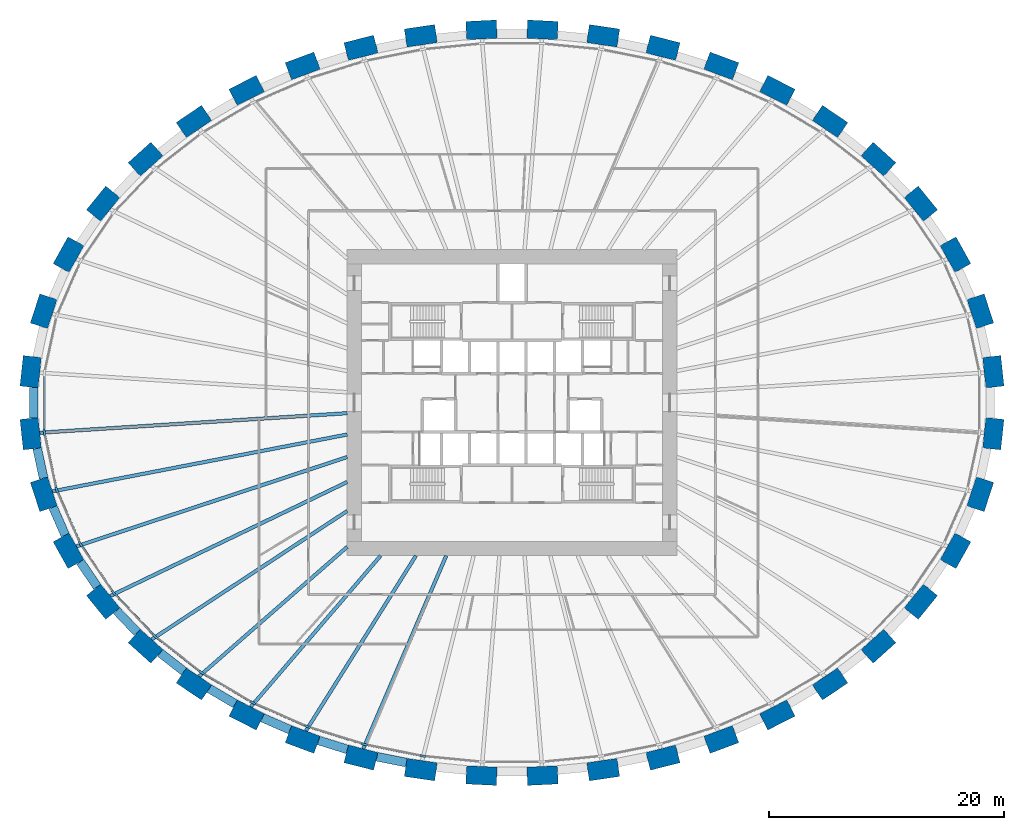
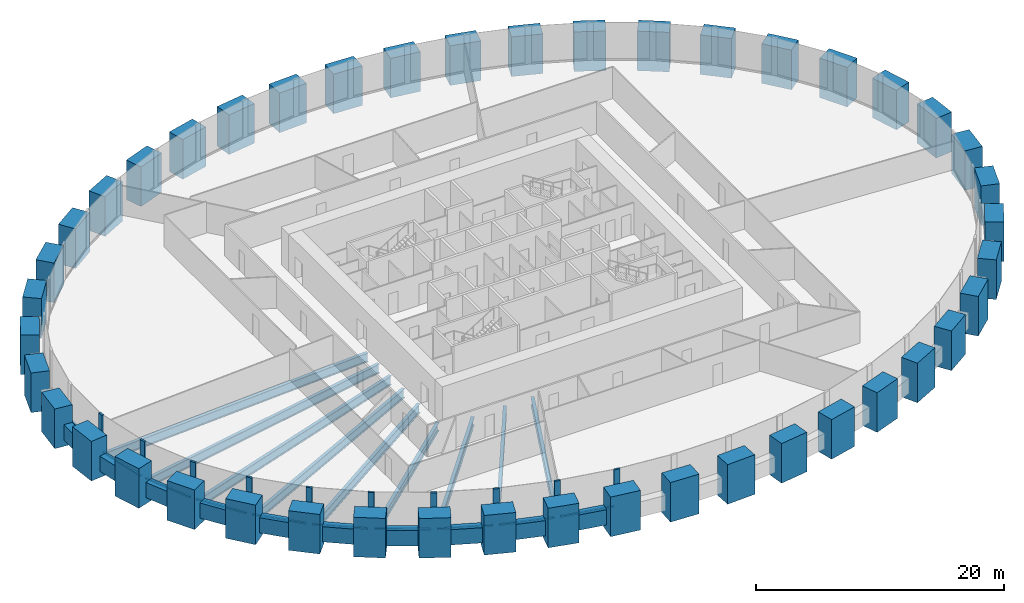
# One storey, part 1 of 10: 44 columns, 20 members, 19 beams, 1 element without a shape of its own.
"""IFC4 building model written with IfcOpenShell, lengths in metres."""

import ifcopenshell
import ifcopenshell.guid

model = None  # the IFC model being written
_history = None  # IfcOwnerHistory: only IFC2X3 demands one
_inside = {}  # id of a spatial element -> (the spatial element, [elements in it])
_under = {}  # id of a project, library or spatial element -> (it, [spatial elements below it])
_declared = {}  # id of a project -> (the project, [libraries it declares])
_typed = {}  # id of a type object -> (the type object, [elements of that type])
_made_of = {}  # id of a material, layer set ... -> (it, [elements and type objects made of it])


def new_model(schema):
    """Start an empty IFC model of exactly this schema.

    Asked for "IFC4X3", IfcOpenShell would pick the latest addendum, in which some entities
    have other attributes; the version numbers below select the first issue.
    IFC2X3 requires an IfcOwnerHistory on every rooted entity: one is made here for all.
    """
    global model, _history
    if schema == "IFC4X3":
        model = ifcopenshell.file(schema_version=(4, 3, 0, 0))
    else:
        model = ifcopenshell.file(schema=schema)
    _inside.clear()
    _under.clear()
    _declared.clear()
    _typed.clear()
    _made_of.clear()
    _history = None
    if model.schema == "IFC2X3":
        org = make("IfcOrganization", Name="unknown")
        user = make(
            "IfcPersonAndOrganization",
            ThePerson=make("IfcPerson", FamilyName="unknown"),
            TheOrganization=org,
        )
        app = make(
            "IfcApplication",
            ApplicationDeveloper=org,
            Version="unknown",
            ApplicationFullName="unknown",
            ApplicationIdentifier="unknown",
        )
        _history = make(
            "IfcOwnerHistory",
            OwningUser=user,
            OwningApplication=app,
            ChangeAction="ADDED",
            CreationDate=0,
        )
    return model


def make(cls, **values):
    """One entity of the class cls with the attributes given. An attribute that is None is left unset."""
    return model.create_entity(
        cls, **{name: value for name, value in values.items() if value is not None}
    )


def rooted(cls, **values):
    """An entity with a GlobalId (a new one), such as an element, a storey or a relation."""
    return make(cls, GlobalId=ifcopenshell.guid.new(), OwnerHistory=_history, **values)


def si_unit(unit_type, name, prefix=None):
    """IfcSIUnit, for example si_unit("LENGTHUNIT", "METRE", prefix="MILLI")."""
    return make("IfcSIUnit", UnitType=unit_type, Prefix=prefix, Name=name)


def assignment(units):
    """IfcUnitAssignment: the units of a project."""
    return None if units is None else make("IfcUnitAssignment", Units=units)


def point(xyz):
    """IfcCartesianPoint."""
    return None if xyz is None else make("IfcCartesianPoint", Coordinates=xyz)


def direction(xyz):
    """IfcDirection."""
    return None if xyz is None else make("IfcDirection", DirectionRatios=xyz)


def frame(location, z_axis=None, x_axis=None):
    """IfcAxis2Placement3D, a coordinate frame: its origin and axes. An axis left out is left unset."""
    return make(
        "IfcAxis2Placement3D",
        Location=point(location),
        Axis=direction(z_axis),
        RefDirection=direction(x_axis),
    )


def frame_2d(location, x_axis=None):
    """IfcAxis2Placement2D, a coordinate frame in the plane: its origin and x axis."""
    return make(
        "IfcAxis2Placement2D", Location=point(location), RefDirection=direction(x_axis)
    )


def origin():
    """The frame at (0, 0, 0) with its axes left unset."""
    return frame((0.0, 0.0, 0.0))


def origin_2d():
    """The frame at (0, 0) in the plane with its x axis left unset."""
    return frame_2d((0.0, 0.0))


def place(relative_to, where):
    """IfcLocalPlacement: puts the frame where relative to a parent placement (None: the world)."""
    return make(
        "IfcLocalPlacement", PlacementRelTo=relative_to, RelativePlacement=where
    )


def context(
    kind, dimensions, precision=None, world=None, true_north=None, identifier=None
):
    """IfcGeometricRepresentationContext, for example the 3D "Model" context."""
    return make(
        "IfcGeometricRepresentationContext",
        ContextIdentifier=identifier,
        ContextType=kind,
        CoordinateSpaceDimension=dimensions,
        Precision=precision,
        WorldCoordinateSystem=world,
        TrueNorth=true_north,
    )


def subcontext(parent, identifier, kind, view, scale=None):
    """IfcGeometricRepresentationSubContext, for example "Body" below "Model"."""
    return make(
        "IfcGeometricRepresentationSubContext",
        ContextIdentifier=identifier,
        ContextType=kind,
        ParentContext=parent,
        TargetScale=scale,
        TargetView=view,
    )


def project(units=None, contexts=None):
    """IfcProject with its units and contexts."""
    return rooted(
        "IfcProject",
        Name="project",
        RepresentationContexts=contexts,
        UnitsInContext=assignment(units),
    )


def spatial(cls, under=None, at=None, **own):
    """A site, building, storey or space (cls), placed at a placement, below another one or the project."""
    s = rooted(cls, ObjectPlacement=at, **own)
    if under is not None:
        _under.setdefault(under.id(), (under, []))[1].append(s)
    return s


def profile(cls, at=None, kind="AREA", **sizes):
    """A parametric profile (cls). Its sizes go by their IFC names, for example OverallWidth=200.0."""
    return make(cls, ProfileType=kind, Position=at, **sizes)


def rectangle(**sizes):
    """IfcRectangleProfileDef."""
    return profile("IfcRectangleProfileDef", **sizes)


def i_section(**sizes):
    """IfcIShapeProfileDef."""
    return profile("IfcIShapeProfileDef", **sizes)


def extrude(swept, where, along, depth):
    """IfcExtrudedAreaSolid: the profile swept, set in the frame where, extruded along a direction by depth."""
    return make(
        "IfcExtrudedAreaSolid",
        SweptArea=swept,
        Position=where,
        ExtrudedDirection=direction(along),
        Depth=depth,
    )


def shape(context_of_items, identifier, shape_type, items):
    """IfcShapeRepresentation: the items that make up one representation, for example the "Body"."""
    return make(
        "IfcShapeRepresentation",
        ContextOfItems=context_of_items,
        RepresentationIdentifier=identifier,
        RepresentationType=shape_type,
        Items=items,
    )


def source(mapping_origin, context_of_items, identifier, shape_type, items):
    """IfcRepresentationMap: a shape defined once, which mapped items show again and again."""
    return make(
        "IfcRepresentationMap",
        MappingOrigin=mapping_origin,
        MappedRepresentation=shape(context_of_items, identifier, shape_type, items),
    )


def transform(
    local_origin,
    x_axis=None,
    y_axis=None,
    z_axis=None,
    scale=None,
    scale2=None,
    scale3=None,
    uniform=True,
):
    """IfcCartesianTransformationOperator3D, or its non-uniform kind. x_axis, y_axis, z_axis: its Axis1, 2, 3."""
    if uniform:
        return make(
            "IfcCartesianTransformationOperator3D",
            Axis1=direction(x_axis),
            Axis2=direction(y_axis),
            LocalOrigin=point(local_origin),
            Scale=scale,
            Axis3=direction(z_axis),
        )
    return make(
        "IfcCartesianTransformationOperator3DnonUniform",
        Axis1=direction(x_axis),
        Axis2=direction(y_axis),
        LocalOrigin=point(local_origin),
        Scale=scale,
        Axis3=direction(z_axis),
        Scale2=scale2,
        Scale3=scale3,
    )


def mapped(mapping_source, mapping_target):
    """IfcMappedItem: shows the shape of a source again, moved by a transform."""
    return make(
        "IfcMappedItem", MappingSource=mapping_source, MappingTarget=mapping_target
    )


def material(Name=None, Category=None):
    """IfcMaterial."""
    return make("IfcMaterial", Name=Name, Category=Category)


def material_profile(
    of_material, cross_section, Name=None, Category=None, Priority=None
):
    """IfcMaterialProfile: a cross section and its material."""
    return make(
        "IfcMaterialProfile",
        Name=Name,
        Material=of_material,
        Profile=cross_section,
        Priority=Priority,
        Category=Category,
    )


def profile_set(profiles, Name=None, composite=None):
    """IfcMaterialProfileSet."""
    return make(
        "IfcMaterialProfileSet",
        Name=Name,
        MaterialProfiles=profiles,
        CompositeProfile=composite,
    )


def made_of(thing, what):
    """Note that an element or type object is made of a material, layer set ...; save() writes the relation."""
    if what is not None:
        _made_of.setdefault(what.id(), (what, []))[1].append(thing)
    return thing


def type_object(cls, material=None, **own):
    """A type object (cls), such as IfcWallType, which elements share."""
    return made_of(rooted(cls, **own), material)


def element(
    cls,
    number,
    at=None,
    inside=None,
    cuts=None,
    type_object=None,
    material=None,
    context=None,
    identifier="Body",
    shape_type=None,
    held_by="IfcProductDefinitionShape",
    body=None,
    shapes=None,
    **own,
):
    """One element of the class cls, such as IfcWall. Its Tag is "e" and its number.

    at: its placement. inside: the storey or other place that contains it. cuts: it is an
    opening in that element (IfcRelVoidsElement). A single representation is given by context,
    identifier, shape_type and body (its items); several are given by shapes. held_by: the class
    of the entity that holds the representations. save() writes the other relations.
    """
    e = rooted(cls, Tag="e%d" % number, ObjectPlacement=at, **own)
    if body is not None:
        shapes = [shape(context, identifier, shape_type, body)]
    if shapes is not None:
        e.Representation = make(held_by, Representations=shapes)
    if inside is not None:
        _inside.setdefault(inside.id(), (inside, []))[1].append(e)
    if cuts is not None:
        rooted(
            "IfcRelVoidsElement", RelatingBuildingElement=cuts, RelatedOpeningElement=e
        )
    if type_object is not None:
        _typed.setdefault(type_object.id(), (type_object, []))[1].append(e)
    return made_of(e, material)


def aggregate(whole, parts):
    """IfcRelAggregates: a whole, such as a stair, and the parts it consists of."""
    return rooted("IfcRelAggregates", RelatingObject=whole, RelatedObjects=parts)


def save(model, path):
    """Write the relations noted so far, then the file.

    IfcRelAggregates (storeys below a building ...), IfcRelContainedInSpatialStructure (elements
    in a storey), IfcRelDefinesByType, IfcRelAssociatesMaterial and IfcRelDeclares: one each for
    every whole, place, type object, material and project.
    """
    for whole, parts in _under.values():
        aggregate(whole, parts)
    for where, things in _inside.values():
        rooted(
            "IfcRelContainedInSpatialStructure",
            RelatedElements=things,
            RelatingStructure=where,
        )
    for kind, things in _typed.values():
        rooted("IfcRelDefinesByType", RelatedObjects=things, RelatingType=kind)
    for what, things in _made_of.values():
        rooted("IfcRelAssociatesMaterial", RelatedObjects=things, RelatingMaterial=what)
    for by, libraries in _declared.values():
        rooted("IfcRelDeclares", RelatingContext=by, RelatedDefinitions=libraries)
    model.write(path)


model = new_model("IFC4")

# Units and contexts
model_context = context("Model", 3, precision=1e-05, world=origin(), true_north=direction((0.0, 1.0)))
body_context = subcontext(model_context, "Body", "Model", "MODEL_VIEW")
ifc_project = project(units=[si_unit("LENGTHUNIT", "METRE"), si_unit("AREAUNIT", "SQUARE_METRE"), si_unit("VOLUMEUNIT", "CUBIC_METRE"), si_unit("PLANEANGLEUNIT", "RADIAN"), si_unit("MASSUNIT", "GRAM", prefix="KILO")], contexts=[model_context])

# Site, building, storey
site_placement = place(None, origin())
site = spatial("IfcSite", under=ifc_project, at=site_placement, CompositionType="ELEMENT")
building_placement = place(site_placement, origin())
building = spatial("IfcBuilding", under=site, at=building_placement, Name="Embergate Tower", CompositionType="ELEMENT")
storey_placement = place(building_placement, frame((0.0, 0.0, 81.5)))
storey = spatial("IfcBuildingStorey", under=building, at=storey_placement, Name="L16", CompositionType="ELEMENT", Elevation=81.5)

# Columns
ifc_material_1 = material(Name="Concrete C70", Category="concrete")
ifc_material_profile_1 = material_profile(ifc_material_1, rectangle(XDim=1.550048828125, YDim=2.60009765625, at=origin_2d()), Name="RC 1550x2600")
ifc_profile_set_1 = profile_set([ifc_material_profile_1], Name="Concrete C70")
column_type = type_object("IfcColumnType", Name="Ring column RC 1550x2600 C70", PredefinedType="COLUMN", material=ifc_profile_set_1)
shared_shape_1 = source(origin(), body_context, "Body", "SweptSolid", [
    extrude(rectangle(XDim=1.550048828125, YDim=2.60009765625, at=origin_2d()), origin(), (0.0, 0.0, 1.0), 3.89990234375),
])
for number, where, z_axis, x_axis, name in (
    (1, (40.89404296875, 2.632080078125, -1.39990234375), (0.0, 0.0, 1.0), (0.99428589498, 0.106749983816, 0.0), "COL-L16-00"),
    (2, (39.7880859375, 7.77294921875, -1.39990234375), (0.0, 0.0, 1.0), (0.950754033697, 0.309946394413, 0.0), "COL-L16-01"),
    (3, (37.679931640625, 12.580078125, -1.39990234375), (0.0, 0.0, 1.0), (0.873491969053, 0.486838556403, 0.0), "COL-L16-02"),
    (4, (34.736083984375, 16.909912109375, -1.39990234375), (0.0, 0.0, 1.0), (0.775914301615, 0.630838328377, 0.0), "COL-L16-03"),
    (5, (31.132080078125, 20.68896484375, -1.39990234375), (0.0, 0.0, 1.0), (0.669208424634, 0.74307475021, 0.0), "COL-L16-04"),
    (6, (27.02392578125, 23.89501953125, -1.39990234375), (0.0, 0.0, 1.0), (0.560393279442, 0.828226643109, 0.0), "COL-L16-05"),
    (7, (22.541015625, 26.531005859375, -1.39990234375), (0.0, 0.0, 1.0), (0.452994952881, 0.891513080478, 0.0), "COL-L16-06"),
    (8, (17.782958984375, 28.612060546875, -1.39990234375), (0.0, 0.0, 1.0), (0.348343015724, 0.93736713373, 0.0), "COL-L16-07"),
    (9, (12.830078125, 30.154052734375, -1.39990234375), (0.0, 0.0, 1.0), (0.246491603437, 0.969144926951, 0.0), "COL-L16-08"),
    (10, (7.7470703125, 31.174072265625, -1.39990234375), (0.0, 0.0, 1.0), (0.146929011949, 0.989147039346, 0.0), "COL-L16-09"),
    (11, (2.591064453125, 31.680908203125, -1.39990234375), (0.0, 0.0, 1.0), (0.048814904854, 0.998807841912, 0.0), "COL-L16-10"),
    (12, (-2.591064453125, 31.680908203125, -1.39990234375), (0.0, 0.0, 1.0), (-0.048814904854, 0.998807841912, 0.0), "COL-L16-11"),
    (13, (-7.7470703125, 31.174072265625, -1.39990234375), (0.0, 0.0, 1.0), (-0.146929011949, 0.989147039346, 0.0), "COL-L16-12"),
    (14, (-12.830078125, 30.154052734375, -1.39990234375), (0.0, 0.0, 1.0), (-0.246491603437, 0.969144926951, 0.0), "COL-L16-13"),
    (15, (-17.782958984375, 28.612060546875, -1.39990234375), (0.0, 0.0, 1.0), (-0.348343015724, 0.93736713373, 0.0), "COL-L16-14"),
    (16, (-22.541015625, 26.531005859375, -1.39990234375), (0.0, 0.0, 1.0), (-0.452994952881, 0.891513080478, 0.0), "COL-L16-15"),
    (17, (-27.02392578125, 23.89501953125, -1.39990234375), (0.0, 0.0, 1.0), (-0.560393279442, 0.828226643109, 0.0), "COL-L16-16"),
    (18, (-31.132080078125, 20.68896484375, -1.39990234375), (0.0, 0.0, 1.0), (-0.669208424634, 0.74307475021, 0.0), "COL-L16-17"),
    (19, (-34.736083984375, 16.909912109375, -1.39990234375), (0.0, 0.0, 1.0), (-0.775914301615, 0.630838328377, 0.0), "COL-L16-18"),
    (20, (-37.679931640625, 12.580078125, -1.39990234375), (0.0, 0.0, 1.0), (-0.873491969053, 0.486838556403, 0.0), "COL-L16-19"),
    (21, (-39.7880859375, 7.77294921875, -1.39990234375), (0.0, 0.0, 1.0), (-0.950754033697, 0.309946394413, 0.0), "COL-L16-20"),
    (22, (-40.89404296875, 2.632080078125, -1.39990234375), (0.0, 0.0, 1.0), (-0.99428589498, 0.106749983816, 0.0), "COL-L16-21"),
    (23, (-40.89404296875, -2.632080078125, -1.39990234375), (0.0, 0.0, 1.0), (-0.99428589498, -0.106749983816, 0.0), "COL-L16-22"),
    (24, (-39.7880859375, -7.77294921875, -1.39990234375), (0.0, 0.0, 1.0), (-0.950754033697, -0.309946394413, 0.0), "COL-L16-23"),
    (25, (-37.679931640625, -12.580078125, -1.39990234375), (0.0, 0.0, 1.0), (-0.873491969053, -0.486838556403, 0.0), "COL-L16-24"),
    (26, (-34.736083984375, -16.909912109375, -1.39990234375), (0.0, 0.0, 1.0), (-0.775914301615, -0.630838328377, 0.0), "COL-L16-25"),
    (27, (-31.132080078125, -20.68896484375, -1.39990234375), (0.0, 0.0, 1.0), (-0.669208424634, -0.74307475021, 0.0), "COL-L16-26"),
    (28, (-27.02392578125, -23.89501953125, -1.39990234375), (0.0, 0.0, 1.0), (-0.560393279442, -0.828226643109, 0.0), "COL-L16-27"),
    (29, (-22.541015625, -26.531005859375, -1.39990234375), (0.0, 0.0, 1.0), (-0.452994952881, -0.891513080478, 0.0), "COL-L16-28"),
    (30, (-17.782958984375, -28.612060546875, -1.39990234375), (0.0, 0.0, 1.0), (-0.348343015724, -0.93736713373, 0.0), "COL-L16-29"),
    (31, (-12.830078125, -30.154052734375, -1.39990234375), (0.0, 0.0, 1.0), (-0.246491603437, -0.969144926951, 0.0), "COL-L16-30"),
    (32, (-7.7470703125, -31.174072265625, -1.39990234375), (0.0, 0.0, 1.0), (-0.146929011949, -0.989147039346, 0.0), "COL-L16-31"),
    (33, (-2.591064453125, -31.680908203125, -1.39990234375), (0.0, 0.0, 1.0), (-0.048814904854, -0.998807841912, 0.0), "COL-L16-32"),
    (34, (2.591064453125, -31.680908203125, -1.39990234375), (0.0, 0.0, 1.0), (0.048814904854, -0.998807841912, 0.0), "COL-L16-33"),
    (35, (7.7470703125, -31.174072265625, -1.39990234375), (0.0, 0.0, 1.0), (0.146929011949, -0.989147039346, 0.0), "COL-L16-34"),
    (36, (12.830078125, -30.154052734375, -1.39990234375), (0.0, 0.0, 1.0), (0.246491603437, -0.969144926951, 0.0), "COL-L16-35"),
    (37, (17.782958984375, -28.612060546875, -1.39990234375), (0.0, 0.0, 1.0), (0.348343015724, -0.93736713373, 0.0), "COL-L16-36"),
    (38, (22.541015625, -26.531005859375, -1.39990234375), (0.0, 0.0, 1.0), (0.452994952881, -0.891513080478, 0.0), "COL-L16-37"),
    (39, (27.02392578125, -23.89501953125, -1.39990234375), (0.0, 0.0, 1.0), (0.560393279442, -0.828226643109, 0.0), "COL-L16-38"),
    (40, (31.132080078125, -20.68896484375, -1.39990234375), (0.0, 0.0, 1.0), (0.669208424634, -0.74307475021, 0.0), "COL-L16-39"),
    (41, (34.736083984375, -16.909912109375, -1.39990234375), (0.0, 0.0, 1.0), (0.775914301615, -0.630838328377, 0.0), "COL-L16-40"),
    (42, (37.679931640625, -12.580078125, -1.39990234375), (0.0, 0.0, 1.0), (0.873491969053, -0.486838556403, 0.0), "COL-L16-41"),
    (43, (39.7880859375, -7.77294921875, -1.39990234375), (0.0, 0.0, 1.0), (0.950754033697, -0.309946394413, 0.0), "COL-L16-42"),
    (44, (40.89404296875, -2.632080078125, -1.39990234375), (0.0, 0.0, 1.0), (0.99428589498, -0.106749983816, 0.0), "COL-L16-43"),
):
    element("IfcColumn", number, at=place(storey_placement, frame(where, z_axis=z_axis, x_axis=x_axis)), inside=storey, type_object=column_type, Name=name, PredefinedType="COLUMN", context=body_context, shape_type="MappedRepresentation", body=[
        mapped(shared_shape_1, transform((0.0, 0.0, 0.0))),
    ])

# Beams
ifc_material_profile_2 = material_profile(ifc_material_1, rectangle(XDim=0.75, YDim=1.5, at=origin_2d()), Name="RC 750x1500")
ifc_profile_set_2 = profile_set([ifc_material_profile_2], Name="Concrete C70")
beam_type_1 = type_object("IfcBeamType", Name="Spandrel beam RC 750x1500 C70", PredefinedType="BEAM", material=ifc_profile_set_2)
shared_shape_2 = source(origin(), body_context, "Body", "SweptSolid", [
    extrude(rectangle(XDim=0.75, YDim=1.5, at=origin_2d()), origin(), (0.0, 0.0, 1.0), 2.5869140625),
])
beam_1_placement = place(storey_placement, frame((-40.343017578125, -3.8798828125, 0.0), z_axis=(0.210270227171, -0.977643304874, 0.0), x_axis=(0.977643304874, 0.210270227171, 0.0)))
element("IfcBeam", 45, at=beam_1_placement, inside=storey, type_object=beam_type_1, Name="SPN-L16-22", PredefinedType="BEAM", context=body_context, shape_type="MappedRepresentation", body=[
    mapped(shared_shape_2, transform((0.0, 0.0, 0.0))),
])
shared_shape_3 = source(origin(), body_context, "Body", "SweptSolid", [
    extrude(rectangle(XDim=0.75, YDim=1.5, at=origin_2d()), origin(), (0.0, 0.0, 1.0), 2.583251953125),
])
beam_2_placement = place(storey_placement, frame((-38.9990234375, -8.883056640625, 0.0), z_axis=(0.401468201792, -0.915872962233, 0.0), x_axis=(0.915872962233, 0.401468201792, 0.0)))
element("IfcBeam", 46, at=beam_2_placement, inside=storey, type_object=beam_type_1, Name="SPN-L16-23", PredefinedType="BEAM", context=body_context, shape_type="MappedRepresentation", body=[
    mapped(shared_shape_3, transform((0.0, 0.0, 0.0))),
])
shared_shape_4 = source(origin(), body_context, "Body", "SweptSolid", [
    extrude(rectangle(XDim=0.75, YDim=1.5, at=origin_2d()), origin(), (0.0, 0.0, 1.0), 2.574951171875),
])
beam_3_placement = place(storey_placement, frame((-36.68603515625, -13.513916015625, 0.0), z_axis=(0.562356702599, -0.826894756932, 0.0), x_axis=(0.826894756932, 0.562356702599, 0.0)))
element("IfcBeam", 47, at=beam_3_placement, inside=storey, type_object=beam_type_1, Name="SPN-L16-24", PredefinedType="BEAM", context=body_context, shape_type="MappedRepresentation", body=[
    mapped(shared_shape_4, transform((0.0, 0.0, 0.0))),
])
shared_shape_5 = source(origin(), body_context, "Body", "SweptSolid", [
    extrude(rectangle(XDim=0.75, YDim=1.5, at=origin_2d()), origin(), (0.0, 0.0, 1.0), 2.568115234375),
])
beam_4_placement = place(storey_placement, frame((-33.60400390625, -17.6650390625, 0.0), z_axis=(0.68998268655, -0.723825871506, 0.0), x_axis=(0.723825871506, 0.68998268655, 0.0)))
element("IfcBeam", 48, at=beam_4_placement, inside=storey, type_object=beam_type_1, Name="SPN-L16-25", PredefinedType="BEAM", context=body_context, shape_type="MappedRepresentation", body=[
    mapped(shared_shape_5, transform((0.0, 0.0, 0.0))),
])
shared_shape_6 = source(origin(), body_context, "Body", "SweptSolid", [
    extrude(rectangle(XDim=0.75, YDim=1.5, at=origin_2d()), origin(), (0.0, 0.0, 1.0), 2.560791015625),
])
beam_5_placement = place(storey_placement, frame((-29.89111328125, -21.25390625, 0.0), z_axis=(0.788437573921, -0.615114779557, 0.0), x_axis=(0.615114779557, 0.788437573921, 0.0)))
element("IfcBeam", 49, at=beam_5_placement, inside=storey, type_object=beam_type_1, Name="SPN-L16-26", PredefinedType="BEAM", context=body_context, shape_type="MappedRepresentation", body=[
    mapped(shared_shape_6, transform((0.0, 0.0, 0.0))),
])
shared_shape_7 = source(origin(), body_context, "Body", "SweptSolid", [
    extrude(rectangle(XDim=0.75, YDim=1.5, at=origin_2d()), origin(), (0.0, 0.0, 1.0), 2.55517578125),
])
beam_6_placement = place(storey_placement, frame((-25.721923828125, -24.291015625, 0.0), z_axis=(0.862086455961, -0.506761228241, 0.0), x_axis=(0.506761228241, 0.862086455961, 0.0)))
element("IfcBeam", 50, at=beam_6_placement, inside=storey, type_object=beam_type_1, Name="SPN-L16-27", PredefinedType="BEAM", context=body_context, shape_type="MappedRepresentation", body=[
    mapped(shared_shape_7, transform((0.0, 0.0, 0.0))),
])
shared_shape_8 = source(origin(), body_context, "Body", "SweptSolid", [
    extrude(rectangle(XDim=0.75, YDim=1.5, at=origin_2d()), origin(), (0.0, 0.0, 1.0), 2.552001953125),
])
beam_7_placement = place(storey_placement, frame((-21.202880859375, -26.76806640625, 0.0), z_axis=(0.916139768309, -0.400858983836, 0.0), x_axis=(0.400858983836, 0.916139768309, 0.0)))
element("IfcBeam", 51, at=beam_7_placement, inside=storey, type_object=beam_type_1, Name="SPN-L16-28", PredefinedType="BEAM", context=body_context, shape_type="MappedRepresentation", body=[
    mapped(shared_shape_8, transform((0.0, 0.0, 0.0))),
])
shared_shape_9 = source(origin(), body_context, "Body", "SweptSolid", [
    extrude(rectangle(XDim=0.75, YDim=1.5, at=origin_2d()), origin(), (0.0, 0.0, 1.0), 2.55029296875),
])
beam_8_placement = place(storey_placement, frame((-16.428955078125, -28.699951171875, 0.0), z_axis=(0.954803055826, -0.297239170678, 0.0), x_axis=(0.297239170678, 0.954803055826, 0.0)))
element("IfcBeam", 52, at=beam_8_placement, inside=storey, type_object=beam_type_1, Name="SPN-L16-29", PredefinedType="BEAM", context=body_context, shape_type="MappedRepresentation", body=[
    mapped(shared_shape_9, transform((0.0, 0.0, 0.0))),
])
shared_shape_10 = source(origin(), body_context, "Body", "SweptSolid", [
    extrude(rectangle(XDim=0.75, YDim=1.5, at=origin_2d()), origin(), (0.0, 0.0, 1.0), 2.546875),
])
beam_9_placement = place(storey_placement, frame((-11.469970703125, -30.0810546875, 0.0), z_axis=(0.980462515934, -0.196706011214, 0.0), x_axis=(0.196706011214, 0.980462515934, 0.0)))
element("IfcBeam", 53, at=beam_9_placement, inside=storey, type_object=beam_type_1, Name="SPN-L16-30", PredefinedType="BEAM", context=body_context, shape_type="MappedRepresentation", body=[
    mapped(shared_shape_10, transform((0.0, 0.0, 0.0))),
])
shared_shape_11 = source(origin(), body_context, "Body", "SweptSolid", [
    extrude(rectangle(XDim=0.75, YDim=1.5, at=origin_2d()), origin(), (0.0, 0.0, 1.0), 2.59423828125),
])
beam_10_placement = place(storey_placement, frame((-40.637939453125, 1.297119140625, 0.0), z_axis=(0.0, -1.0, 0.0), x_axis=(1.0, 0.0, 0.0)))
element("IfcBeam", 54, at=beam_10_placement, inside=storey, type_object=beam_type_1, Name="SPN-L16-21", PredefinedType="BEAM", context=body_context, shape_type="MappedRepresentation", body=[
    mapped(shared_shape_11, transform((0.0, 0.0, 0.0))),
])
ifc_material_2 = material(Name="Steel Q355B", Category="steel")
ifc_material_profile_3 = material_profile(ifc_material_2, i_section(OverallWidth=0.300048828125, OverallDepth=0.89990234375, WebThickness=0.01611328125, FlangeThickness=0.028076171875, FilletRadius=0.028076171875, at=origin_2d()), Name="HN 900x300x16x28")
ifc_profile_set_3 = profile_set([ifc_material_profile_3], Name="Steel Q355 grade B")
beam_type_2 = type_object("IfcBeamType", Name="Radial girder HN 900x300x16x28", PredefinedType="BEAM", material=ifc_profile_set_3)
shared_shape_12 = source(origin(), body_context, "Body", "SweptSolid", [
    extrude(i_section(OverallWidth=0.300048828125, OverallDepth=0.89990234375, WebThickness=0.01611328125, FlangeThickness=0.028076171875, FilletRadius=0.028076171875, at=origin_2d()), origin(), (0.0, 0.0, 1.0), 26.17578125),
])
beam_11_placement = place(storey_placement, frame((-40.123046875, -2.549072265625, -0.64990234375), z_axis=(0.997989066798, 0.063386296243, 0.0), x_axis=(-0.063386296243, 0.997989066798, 0.0)))
element("IfcBeam", 55, at=beam_11_placement, inside=storey, type_object=beam_type_2, Name="GIR-L16-22", PredefinedType="BEAM", context=body_context, shape_type="MappedRepresentation", body=[
    mapped(shared_shape_12, transform((0.0, 0.0, 0.0))),
])
shared_shape_13 = source(origin(), body_context, "Body", "SweptSolid", [
    extrude(i_section(OverallWidth=0.300048828125, OverallDepth=0.89990234375, WebThickness=0.01611328125, FlangeThickness=0.028076171875, FilletRadius=0.028076171875, at=origin_2d()), origin(), (0.0, 0.0, 1.0), 25.5126953125),
])
beam_12_placement = place(storey_placement, frame((-39.051025390625, -7.532958984375, -0.64990234375), z_axis=(0.981900703084, 0.189396434187, 0.0), x_axis=(-0.189396434187, 0.981900703084, 0.0)))
element("IfcBeam", 56, at=beam_12_placement, inside=storey, type_object=beam_type_2, Name="GIR-L16-23", PredefinedType="BEAM", context=body_context, shape_type="MappedRepresentation", body=[
    mapped(shared_shape_13, transform((0.0, 0.0, 0.0))),
])
shared_shape_14 = source(origin(), body_context, "Body", "SweptSolid", [
    extrude(i_section(OverallWidth=0.300048828125, OverallDepth=0.89990234375, WebThickness=0.01611328125, FlangeThickness=0.028076171875, FilletRadius=0.028076171875, at=origin_2d()), origin(), (0.0, 0.0, 1.0), 24.221435546875),
])
beam_13_placement = place(storey_placement, frame((-37.0029296875, -12.202880859375, -0.64990234375), z_axis=(0.949690422, 0.313190201575, 0.0), x_axis=(-0.313190201575, 0.949690422, 0.0)))
element("IfcBeam", 57, at=beam_13_placement, inside=storey, type_object=beam_type_2, Name="GIR-L16-24", PredefinedType="BEAM", context=body_context, shape_type="MappedRepresentation", body=[
    mapped(shared_shape_14, transform((0.0, 0.0, 0.0))),
])
shared_shape_15 = source(origin(), body_context, "Body", "SweptSolid", [
    extrude(i_section(OverallWidth=0.300048828125, OverallDepth=0.89990234375, WebThickness=0.01611328125, FlangeThickness=0.028076171875, FilletRadius=0.028076171875, at=origin_2d()), origin(), (0.0, 0.0, 1.0), 22.343505859375),
])
beam_14_placement = place(storey_placement, frame((-34.135009765625, -16.4208984375, -0.64990234375), z_axis=(0.901156313857, 0.433494288308, 0.0), x_axis=(-0.433494288308, 0.901156313857, 0.0)))
element("IfcBeam", 58, at=beam_14_placement, inside=storey, type_object=beam_type_2, Name="GIR-L16-25", PredefinedType="BEAM", context=body_context, shape_type="MappedRepresentation", body=[
    mapped(shared_shape_15, transform((0.0, 0.0, 0.0))),
])
shared_shape_16 = source(origin(), body_context, "Body", "SweptSolid", [
    extrude(i_section(OverallWidth=0.300048828125, OverallDepth=0.89990234375, WebThickness=0.01611328125, FlangeThickness=0.028076171875, FilletRadius=0.028076171875, at=origin_2d()), origin(), (0.0, 0.0, 1.0), 19.8779296875),
])
beam_15_placement = place(storey_placement, frame((-30.613037109375, -20.113037109375, -0.64990234375), z_axis=(0.835753953274, 0.549104115434, 0.0), x_axis=(-0.549104115434, 0.835753953274, 0.0)))
element("IfcBeam", 59, at=beam_15_placement, inside=storey, type_object=beam_type_2, Name="GIR-L16-26", PredefinedType="BEAM", context=body_context, shape_type="MappedRepresentation", body=[
    mapped(shared_shape_16, transform((0.0, 0.0, 0.0))),
])
ifc_material_profile_4 = material_profile(ifc_material_2, i_section(OverallWidth=0.300048828125, OverallDepth=0.800048828125, WebThickness=0.013916015625, FlangeThickness=0.02587890625, FilletRadius=0.028076171875, at=origin_2d()), Name="HN 800x300x14x26")
ifc_profile_set_4 = profile_set([ifc_material_profile_4], Name="Steel Q355 grade B")
beam_type_3 = type_object("IfcBeamType", Name="Radial girder HN 800x300x14x26", PredefinedType="BEAM", material=ifc_profile_set_4)
shared_shape_17 = source(origin(), body_context, "Body", "SweptSolid", [
    extrude(i_section(OverallWidth=0.300048828125, OverallDepth=0.800048828125, WebThickness=0.013916015625, FlangeThickness=0.02587890625, FilletRadius=0.028076171875, at=origin_2d()), origin(), (0.0, 0.0, 1.0), 16.72509765625),
])
beam_16_placement = place(storey_placement, frame((-26.590087890625, -23.2529296875, -0.60009765625), z_axis=(0.752763844536, 0.658290660999, 0.0), x_axis=(-0.658290660999, 0.752763844536, 0.0)))
element("IfcBeam", 60, at=beam_16_placement, inside=storey, type_object=beam_type_3, Name="GIR-L16-27", PredefinedType="BEAM", context=body_context, shape_type="MappedRepresentation", body=[
    mapped(shared_shape_17, transform((0.0, 0.0, 0.0))),
])
shared_shape_18 = source(origin(), body_context, "Body", "SweptSolid", [
    extrude(i_section(OverallWidth=0.300048828125, OverallDepth=0.800048828125, WebThickness=0.013916015625, FlangeThickness=0.02587890625, FilletRadius=0.028076171875, at=origin_2d()), origin(), (0.0, 0.0, 1.0), 16.924560546875),
])
beam_17_placement = place(storey_placement, frame((-22.18994140625, -25.840087890625, -0.60009765625), z_axis=(0.651475377488, 0.758669778314, 0.0), x_axis=(-0.758669778314, 0.651475377488, 0.0)))
element("IfcBeam", 61, at=beam_17_placement, inside=storey, type_object=beam_type_3, Name="GIR-L16-28", PredefinedType="BEAM", context=body_context, shape_type="MappedRepresentation", body=[
    mapped(shared_shape_18, transform((0.0, 0.0, 0.0))),
])
shared_shape_19 = source(origin(), body_context, "Body", "SweptSolid", [
    extrude(i_section(OverallWidth=0.300048828125, OverallDepth=0.800048828125, WebThickness=0.013916015625, FlangeThickness=0.02587890625, FilletRadius=0.028076171875, at=origin_2d()), origin(), (0.0, 0.0, 1.0), 17.578125),
])
beam_18_placement = place(storey_placement, frame((-17.512939453125, -27.885986328125, -0.60009765625), z_axis=(0.53184411478, 0.846842274319, 0.0), x_axis=(-0.846842274319, 0.53184411478, 0.0)))
element("IfcBeam", 62, at=beam_18_placement, inside=storey, type_object=beam_type_3, Name="GIR-L16-29", PredefinedType="BEAM", context=body_context, shape_type="MappedRepresentation", body=[
    mapped(shared_shape_19, transform((0.0, 0.0, 0.0))),
])
shared_shape_20 = source(origin(), body_context, "Body", "SweptSolid", [
    extrude(i_section(OverallWidth=0.300048828125, OverallDepth=0.800048828125, WebThickness=0.013916015625, FlangeThickness=0.02587890625, FilletRadius=0.028076171875, at=origin_2d()), origin(), (0.0, 0.0, 1.0), 17.854248046875),
])
beam_19_placement = place(storey_placement, frame((-12.638916015625, -29.403076171875, -0.60009765625), z_axis=(0.394919154383, 0.918715876374, 0.0), x_axis=(-0.918715876374, 0.394919154383, 0.0)))
element("IfcBeam", 63, at=beam_19_placement, inside=storey, type_object=beam_type_3, Name="GIR-L16-30", PredefinedType="BEAM", context=body_context, shape_type="MappedRepresentation", body=[
    mapped(shared_shape_20, transform((0.0, 0.0, 0.0))),
])

# Curtain wall, members
ifc_material_3 = material(Name="Aluminium and glass", Category="aluminium")
curtain_wall_type = type_object("IfcCurtainWallType", Name="Recessed office glazing", PredefinedType="NOTDEFINED", material=ifc_material_3)
curtain_wall_placement = place(storey_placement, origin())
curtain_wall = element("IfcCurtainWall", 64, at=curtain_wall_placement, inside=storey, type_object=curtain_wall_type, Name="Recessed office glazing ring", ObjectType="RECESSED OFFICE GLAZING", PredefinedType="USERDEFINED")
ifc_material_4 = material(Name="Aluminium, thermally broken", Category="aluminium")
ifc_material_profile_5 = material_profile(ifc_material_4, rectangle(XDim=0.179931640625, YDim=0.52001953125, at=origin_2d()), Name="AL 520x180")
ifc_profile_set_5 = profile_set([ifc_material_profile_5], Name="Aluminium, thermally broken")
member_type_1 = type_object("IfcMemberType", Name="Office mullion", PredefinedType="MULLION", material=ifc_profile_set_5)
shared_shape_21 = source(origin(), body_context, "Body", "SweptSolid", [
    extrude(rectangle(XDim=0.179931640625, YDim=0.52001953125, at=origin_2d()), origin(), (0.0, 0.0, 1.0), 3.699951171875),
])
member_1_placement = place(storey_placement, frame((-39.735595703125, -2.507080078125, 0.0), z_axis=(0.0, 0.0, 1.0), x_axis=(0.994385139431, 0.105821521816, 0.0)))
member_1 = element("IfcMember", 65, at=member_1_placement, type_object=member_type_1, Name="CW mullion 23", PredefinedType="MULLION", context=body_context, shape_type="MappedRepresentation", body=[
    mapped(shared_shape_21, transform((0.0, 0.0, 0.0))),
])
member_2_placement = place(storey_placement, frame((-38.68017578125, -7.412109375, 0.0), z_axis=(0.0, 0.0, 1.0), x_axis=(0.95149940886, 0.307650572791, 0.0)))
member_2 = element("IfcMember", 66, at=member_2_placement, type_object=member_type_1, Name="CW mullion 24", PredefinedType="MULLION", context=body_context, shape_type="MappedRepresentation", body=[
    mapped(shared_shape_21, transform((0.0, 0.0, 0.0))),
])
member_3_placement = place(storey_placement, frame((-36.662109375, -12.012939453125, 0.0), z_axis=(0.0, 0.0, 1.0), x_axis=(0.875005275602, 0.484113383071, 0.0)))
member_3 = element("IfcMember", 67, at=member_3_placement, type_object=member_type_1, Name="CW mullion 25", PredefinedType="MULLION", context=body_context, shape_type="MappedRepresentation", body=[
    mapped(shared_shape_21, transform((0.0, 0.0, 0.0))),
])
member_4_placement = place(storey_placement, frame((-33.831787109375, -16.1748046875, 0.0), z_axis=(0.0, 0.0, 1.0), x_axis=(0.777875854755, 0.628417977615, 0.0)))
member_4 = element("IfcMember", 68, at=member_4_placement, type_object=member_type_1, Name="CW mullion 26", PredefinedType="MULLION", context=body_context, shape_type="MappedRepresentation", body=[
    mapped(shared_shape_21, transform((0.0, 0.0, 0.0))),
])
member_5_placement = place(storey_placement, frame((-30.352294921875, -19.823486328125, 0.0), z_axis=(0.0, 0.0, 1.0), x_axis=(0.671229121411, 0.741249935292, 0.0)))
member_5 = element("IfcMember", 69, at=member_5_placement, type_object=member_type_1, Name="CW mullion 27", PredefinedType="MULLION", context=body_context, shape_type="MappedRepresentation", body=[
    mapped(shared_shape_21, transform((0.0, 0.0, 0.0))),
])
member_6_placement = place(storey_placement, frame((-26.37158203125, -22.930419921875, 0.0), z_axis=(0.0, 0.0, 1.0), x_axis=(0.562217618544, 0.826989328467, 0.0)))
member_6 = element("IfcMember", 70, at=member_6_placement, type_object=member_type_1, Name="CW mullion 28", PredefinedType="MULLION", context=body_context, shape_type="MappedRepresentation", body=[
    mapped(shared_shape_21, transform((0.0, 0.0, 0.0))),
])
member_7_placement = place(storey_placement, frame((-22.013427734375, -25.49267578125, 0.0), z_axis=(0.0, 0.0, 1.0), x_axis=(0.454511380526, 0.890740930334, 0.0)))
member_7 = element("IfcMember", 71, at=member_7_placement, type_object=member_type_1, Name="CW mullion 29", PredefinedType="MULLION", context=body_context, shape_type="MappedRepresentation", body=[
    mapped(shared_shape_21, transform((0.0, 0.0, 0.0))),
])
member_8_placement = place(storey_placement, frame((-17.377197265625, -27.519775390625, 0.0), z_axis=(0.0, 0.0, 1.0), x_axis=(0.349502682851, 0.936935363128, 0.0)))
member_8 = element("IfcMember", 72, at=member_8_placement, type_object=member_type_1, Name="CW mullion 30", PredefinedType="MULLION", context=body_context, shape_type="MappedRepresentation", body=[
    mapped(shared_shape_21, transform((0.0, 0.0, 0.0))),
])
member_9_placement = place(storey_placement, frame((-12.54296875, -29.025390625, 0.0), z_axis=(0.0, 0.0, 1.0), x_axis=(0.24731188137, 0.968935928394, 0.0)))
member_9 = element("IfcMember", 73, at=member_9_placement, type_object=member_type_1, Name="CW mullion 31", PredefinedType="MULLION", context=body_context, shape_type="MappedRepresentation", body=[
    mapped(shared_shape_21, transform((0.0, 0.0, 0.0))),
])
member_10_placement = place(storey_placement, frame((-7.576171875, -30.021484375, 0.0), z_axis=(0.0, 0.0, 1.0), x_axis=(0.147412382818, 0.989075118174, 0.0)))
member_10 = element("IfcMember", 74, at=member_10_placement, type_object=member_type_1, Name="CW mullion 32", PredefinedType="MULLION", context=body_context, shape_type="MappedRepresentation", body=[
    mapped(shared_shape_21, transform((0.0, 0.0, 0.0))),
])
ifc_material_profile_6 = material_profile(ifc_material_4, rectangle(XDim=0.179931640625, YDim=0.14990234375, at=origin_2d()), Name="AL 150x180")
ifc_profile_set_6 = profile_set([ifc_material_profile_6], Name="Aluminium, thermally broken")
member_type_2 = type_object("IfcMemberType", Name="Office sill transom", PredefinedType="USERDEFINED", material=ifc_profile_set_6)
shared_shape_22 = source(origin(), body_context, "Body", "SweptSolid", [
    extrude(rectangle(XDim=0.179931640625, YDim=0.14990234375, at=origin_2d()), origin(), (0.0, 0.0, 1.0), 4.529296875),
])
member_11_placement = place(storey_placement, frame((-30.147216796875, -19.983642578125, 0.074951171875), z_axis=(0.788306218653, -0.615283110148, 0.0), x_axis=(0.615283110148, 0.788306218653, 0.0)))
member_11 = element("IfcMember", 75, at=member_11_placement, type_object=member_type_2, Name="CW transom 27.1", ObjectType="TRANSOM", PredefinedType="USERDEFINED", context=body_context, shape_type="MappedRepresentation", body=[
    mapped(shared_shape_22, transform((0.0, 0.0, 0.0))),
])
shared_shape_23 = source(origin(), body_context, "Body", "SweptSolid", [
    extrude(rectangle(XDim=0.179931640625, YDim=0.14990234375, at=origin_2d()), origin(), (0.0, 0.0, 1.0), 4.496826171875),
])
member_12_placement = place(storey_placement, frame((-39.680908203125, -2.761474609375, 0.074951171875), z_axis=(0.210378069806, -0.977620104, 0.0), x_axis=(0.977620104, 0.210378069806, 0.0)))
member_12 = element("IfcMember", 76, at=member_12_placement, type_object=member_type_2, Name="CW transom 23.1", ObjectType="TRANSOM", PredefinedType="USERDEFINED", context=body_context, shape_type="MappedRepresentation", body=[
    mapped(shared_shape_23, transform((0.0, 0.0, 0.0))),
])
shared_shape_24 = source(origin(), body_context, "Body", "SweptSolid", [
    extrude(rectangle(XDim=0.179931640625, YDim=0.14990234375, at=origin_2d()), origin(), (0.0, 0.0, 1.0), 4.504150390625),
])
member_13_placement = place(storey_placement, frame((-38.57568359375, -7.650146484375, 0.074951171875), z_axis=(0.401657507377, -0.915789957778, 0.0), x_axis=(0.915789957778, 0.401657507377, 0.0)))
member_13 = element("IfcMember", 77, at=member_13_placement, type_object=member_type_2, Name="CW transom 24.1", ObjectType="TRANSOM", PredefinedType="USERDEFINED", context=body_context, shape_type="MappedRepresentation", body=[
    mapped(shared_shape_24, transform((0.0, 0.0, 0.0))),
])
shared_shape_25 = source(origin(), body_context, "Body", "SweptSolid", [
    extrude(rectangle(XDim=0.179931640625, YDim=0.14990234375, at=origin_2d()), origin(), (0.0, 0.0, 1.0), 4.51318359375),
])
member_14_placement = place(storey_placement, frame((-36.515869140625, -12.22802734375, 0.074951171875), z_axis=(0.562329256749, -0.82691342171, 0.0), x_axis=(0.82691342171, 0.562329256749, 0.0)))
member_14 = element("IfcMember", 78, at=member_14_placement, type_object=member_type_2, Name="CW transom 25.1", ObjectType="TRANSOM", PredefinedType="USERDEFINED", context=body_context, shape_type="MappedRepresentation", body=[
    mapped(shared_shape_25, transform((0.0, 0.0, 0.0))),
])
shared_shape_26 = source(origin(), body_context, "Body", "SweptSolid", [
    extrude(rectangle(XDim=0.179931640625, YDim=0.14990234375, at=origin_2d()), origin(), (0.0, 0.0, 1.0), 4.52197265625),
])
member_15_placement = place(storey_placement, frame((-33.65234375, -16.363037109375, 0.074951171875), z_axis=(0.690144384651, -0.723671699277, 0.0), x_axis=(0.723671699277, 0.690144384651, 0.0)))
member_15 = element("IfcMember", 79, at=member_15_placement, type_object=member_type_2, Name="CW transom 26.1", ObjectType="TRANSOM", PredefinedType="USERDEFINED", context=body_context, shape_type="MappedRepresentation", body=[
    mapped(shared_shape_26, transform((0.0, 0.0, 0.0))),
])
shared_shape_27 = source(origin(), body_context, "Body", "SweptSolid", [
    extrude(rectangle(XDim=0.179931640625, YDim=0.14990234375, at=origin_2d()), origin(), (0.0, 0.0, 1.0), 4.535400390625),
])
member_16_placement = place(storey_placement, frame((-26.1474609375, -23.06201171875, 0.074951171875), z_axis=(0.862028298447, -0.506860151004, 0.0), x_axis=(0.506860151004, 0.862028298447, 0.0)))
member_16 = element("IfcMember", 80, at=member_16_placement, type_object=member_type_2, Name="CW transom 28.1", ObjectType="TRANSOM", PredefinedType="USERDEFINED", context=body_context, shape_type="MappedRepresentation", body=[
    mapped(shared_shape_27, transform((0.0, 0.0, 0.0))),
])
shared_shape_28 = source(origin(), body_context, "Body", "SweptSolid", [
    extrude(rectangle(XDim=0.179931640625, YDim=0.14990234375, at=origin_2d()), origin(), (0.0, 0.0, 1.0), 4.540283203125),
])
member_17_placement = place(storey_placement, frame((-21.775390625, -25.5966796875, 0.074951171875), z_axis=(0.91622766565, -0.400658039601, 0.0), x_axis=(0.400658039601, 0.91622766565, 0.0)))
member_17 = element("IfcMember", 81, at=member_17_placement, type_object=member_type_2, Name="CW transom 29.1", ObjectType="TRANSOM", PredefinedType="USERDEFINED", context=body_context, shape_type="MappedRepresentation", body=[
    mapped(shared_shape_28, transform((0.0, 0.0, 0.0))),
])
shared_shape_29 = source(origin(), body_context, "Body", "SweptSolid", [
    extrude(rectangle(XDim=0.179931640625, YDim=0.14990234375, at=origin_2d()), origin(), (0.0, 0.0, 1.0), 4.54345703125),
])
member_18_placement = place(storey_placement, frame((-17.129150390625, -27.59716796875, 0.074951171875), z_axis=(0.954777820435, -0.297320220648, 0.0), x_axis=(0.297320220648, 0.954777820435, 0.0)))
member_18 = element("IfcMember", 82, at=member_18_placement, type_object=member_type_2, Name="CW transom 30.1", ObjectType="TRANSOM", PredefinedType="USERDEFINED", context=body_context, shape_type="MappedRepresentation", body=[
    mapped(shared_shape_29, transform((0.0, 0.0, 0.0))),
])
shared_shape_30 = source(origin(), body_context, "Body", "SweptSolid", [
    extrude(rectangle(XDim=0.179931640625, YDim=0.14990234375, at=origin_2d()), origin(), (0.0, 0.0, 1.0), 4.54541015625),
])
member_19_placement = place(storey_placement, frame((-12.2880859375, -29.076416015625, 0.074951171875), z_axis=(0.980477251105, -0.196632550879, 0.0), x_axis=(0.196632550879, 0.980477251105, 0.0)))
member_19 = element("IfcMember", 83, at=member_19_placement, type_object=member_type_2, Name="CW transom 31.1", ObjectType="TRANSOM", PredefinedType="USERDEFINED", context=body_context, shape_type="MappedRepresentation", body=[
    mapped(shared_shape_30, transform((0.0, 0.0, 0.0))),
])
shared_shape_31 = source(origin(), body_context, "Body", "SweptSolid", [
    extrude(rectangle(XDim=0.179931640625, YDim=0.14990234375, at=origin_2d()), origin(), (0.0, 0.0, 1.0), 4.49462890625),
])
member_20_placement = place(storey_placement, frame((-39.735595703125, 2.247314453125, 0.074951171875), z_axis=(0.0, -1.0, 0.0), x_axis=(1.0, 0.0, 0.0)))
member_20 = element("IfcMember", 84, at=member_20_placement, type_object=member_type_2, Name="CW transom 22.1", ObjectType="TRANSOM", PredefinedType="USERDEFINED", context=body_context, shape_type="MappedRepresentation", body=[
    mapped(shared_shape_31, transform((0.0, 0.0, 0.0))),
])
aggregate(curtain_wall, [member_1, member_2, member_3, member_4, member_5, member_6, member_7, member_8, member_9, member_10, member_20, member_12, member_13, member_14, member_15, member_11, member_16, member_17, member_18, member_19])

save(model, "model.ifc")
